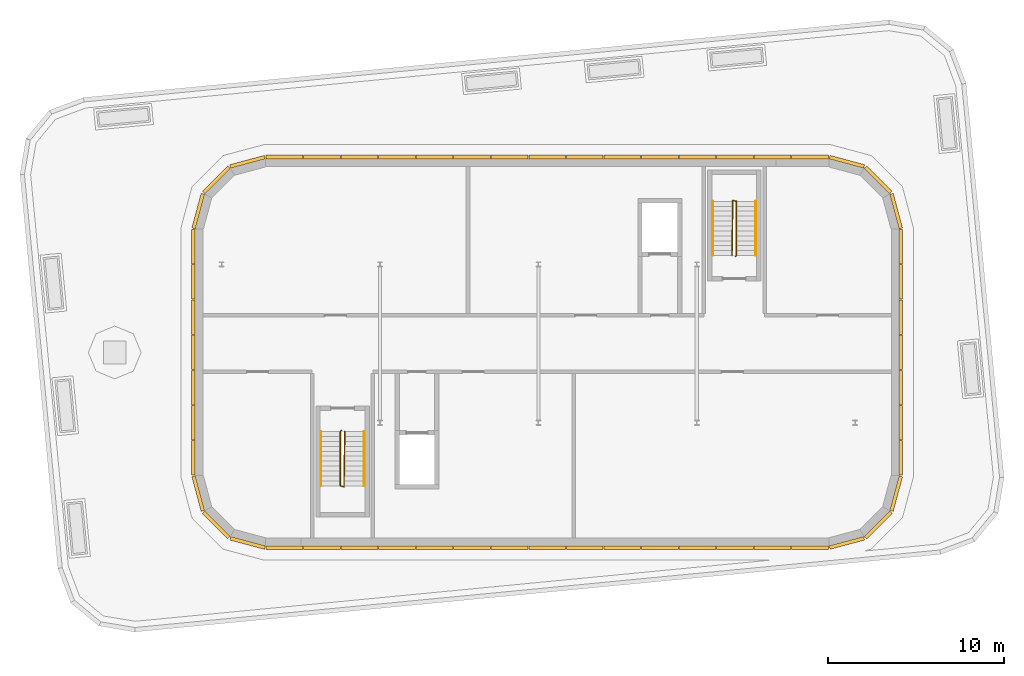
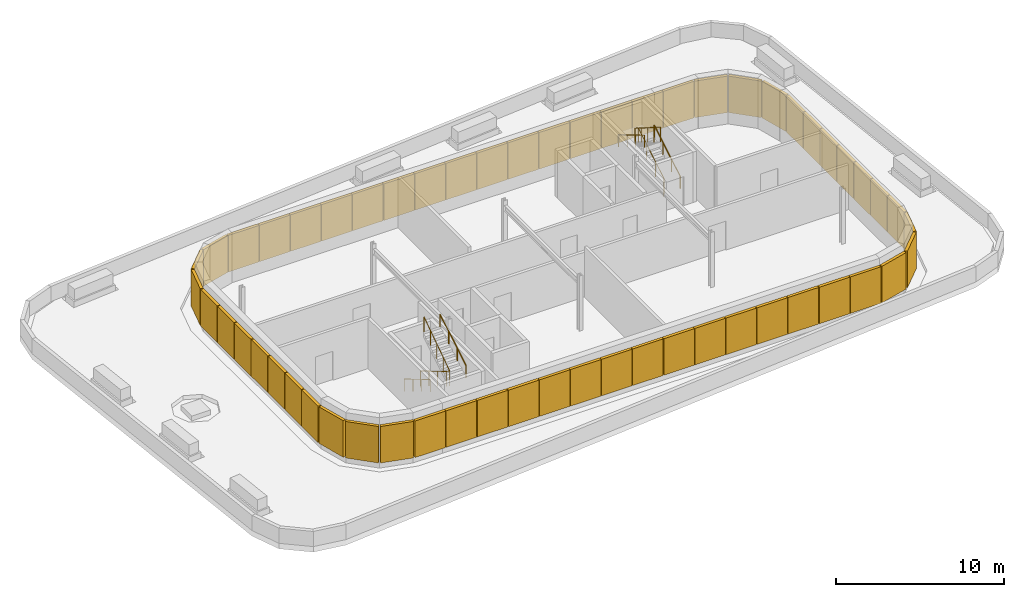
# One storey, part 5 of 6: 56 shading devices, 6 railings.
"""IFC4 building model written with IfcOpenShell, lengths in metres."""

from ifc_helpers import new_model, si_unit, direction, frame, origin, origin_2d, place, context, subcontext, project, spatial, rectangle, circle, extrude, material, type_object, element, save


model = new_model("IFC4")

# Units and contexts
model_context = context("Model", 3, precision=1e-05, world=origin(), true_north=direction((0.0, 1.0)))
body_context = subcontext(model_context, "Body", "Model", "MODEL_VIEW")
ifc_project = project(units=[si_unit("LENGTHUNIT", "METRE"), si_unit("AREAUNIT", "SQUARE_METRE"), si_unit("VOLUMEUNIT", "CUBIC_METRE"), si_unit("PLANEANGLEUNIT", "RADIAN"), si_unit("MASSUNIT", "GRAM", prefix="KILO")], contexts=[model_context])

# Site, building, storey
site_placement = place(None, origin())
site = spatial("IfcSite", under=ifc_project, at=site_placement, CompositionType="ELEMENT")
building_placement = place(site_placement, origin())
building = spatial("IfcBuilding", under=site, at=building_placement, Name="Kajstack Hotel Tower", CompositionType="ELEMENT")
storey_placement = place(building_placement, frame((0.0, 0.0, 325.800048828125)))
storey = spatial("IfcBuildingStorey", under=building, at=storey_placement, Name="L82", CompositionType="ELEMENT", Elevation=325.800048828125)

# Railings
ifc_material = material(Name="Steel S355J2", Category="steel")
railing_type_1 = type_object("IfcRailingType", Name="Stair guard 1100", PredefinedType="GUARDRAIL", material=ifc_material)
railing_1_placement = place(storey_placement, frame((-11.199951171875, -4.949951171875, 0.0)))
element("IfcRailing", 1, at=railing_1_placement, inside=storey, type_object=railing_type_1, Name="L82 R1 stair guard 1", PredefinedType="GUARDRAIL", context=body_context, shape_type="SweptSolid", body=[
    extrude(circle(Radius=0.02392578125, at=origin_2d()), frame((0.0, 0.0, 1.076171875), z_axis=(-0.27662974545, -0.27662974545, 0.920299933644), x_axis=(0.707106781187, -0.707106781187, 0.0)), (0.0, 0.0, 1.0), 0.180908203125),
    extrude(circle(Radius=0.02392578125, at=origin_2d()), frame((-0.050048828125, -0.050048828125, 1.24267578125), z_axis=(0.0, -0.85927862911, 0.511507807912), x_axis=(1.0, 0.0, 0.0)), (0.0, 0.0, 1.0), 3.58447265625),
    extrude(circle(Radius=0.02392578125, at=origin_2d()), frame((-0.050048828125, -3.130126953125, 3.076171875), z_axis=(0.970351222016, -0.241699205484, 0.0), x_axis=(0.241699205484, 0.970351222016, 0.0)), (0.0, 0.0, 1.0), 0.2060546875),
    extrude(circle(Radius=0.02392578125, at=origin_2d()), frame((0.14990234375, -3.179931640625, 3.076171875), z_axis=(0.013473340278, 0.842576694466, 0.538407822236), x_axis=(-0.999872174235, 0.01598859561, 0.0)), (0.0, 0.0, 1.0), 3.714599609375),
    extrude(circle(Radius=0.02099609375, at=origin_2d()), origin(), (0.0, 0.0, 1.0), 1.052001953125),
    extrude(circle(Radius=0.02099609375, at=origin_2d()), frame((-0.050048828125, -0.050048828125, 0.16650390625)), (0.0, 0.0, 1.0), 1.052001953125),
    extrude(circle(Radius=0.02099609375, at=origin_2d()), frame((-0.050048828125, -1.07666015625, 0.777587890625)), (0.0, 0.0, 1.0), 1.052001953125),
    extrude(circle(Radius=0.02099609375, at=origin_2d()), frame((-0.050048828125, -2.103515625, 1.388916015625)), (0.0, 0.0, 1.0), 1.052001953125),
    extrude(circle(Radius=0.02099609375, at=origin_2d()), frame((-0.050048828125, -3.130126953125, 2.0)), (0.0, 0.0, 1.0), 1.052001953125),
    extrude(circle(Radius=0.02099609375, at=origin_2d()), frame((0.14990234375, -3.179931640625, 2.0)), (0.0, 0.0, 1.0), 1.052001953125),
    extrude(circle(Radius=0.02099609375, at=origin_2d()), frame((0.162353515625, -2.3974609375, 2.5)), (0.0, 0.0, 1.0), 1.052001953125),
    extrude(circle(Radius=0.02099609375, at=origin_2d()), frame((0.1748046875, -1.614990234375, 3.0)), (0.0, 0.0, 1.0), 1.052001953125),
    extrude(circle(Radius=0.02099609375, at=origin_2d()), frame((0.1875, -0.83251953125, 3.5)), (0.0, 0.0, 1.0), 1.052001953125),
    extrude(circle(Radius=0.02099609375, at=origin_2d()), frame((0.199951171875, -0.050048828125, 4.0)), (0.0, 0.0, 1.0), 1.052001953125),
])
railing_2_placement = place(storey_placement, frame((11.199951171875, 4.949951171875, 0.0)))
element("IfcRailing", 2, at=railing_2_placement, inside=storey, type_object=railing_type_1, Name="L82 R2 stair guard 1", PredefinedType="GUARDRAIL", context=body_context, shape_type="SweptSolid", body=[
    extrude(circle(Radius=0.02392578125, at=origin_2d()), frame((0.0, 0.0, 1.076171875), z_axis=(0.27662974545, 0.27662974545, 0.920299933644), x_axis=(-0.707106781187, 0.707106781187, 0.0)), (0.0, 0.0, 1.0), 0.180908203125),
    extrude(circle(Radius=0.02392578125, at=origin_2d()), frame((0.050048828125, 0.050048828125, 1.24267578125), z_axis=(0.0, 0.85927862911, 0.511507807912), x_axis=(-1.0, 0.0, 0.0)), (0.0, 0.0, 1.0), 3.58447265625),
    extrude(circle(Radius=0.02392578125, at=origin_2d()), frame((0.050048828125, 3.130126953125, 3.076171875), z_axis=(-0.970351222016, 0.241699205484, 0.0), x_axis=(-0.241699205484, -0.970351222016, 0.0)), (0.0, 0.0, 1.0), 0.2060546875),
    extrude(circle(Radius=0.02392578125, at=origin_2d()), frame((-0.14990234375, 3.179931640625, 3.076171875), z_axis=(-0.013473340278, -0.842576694466, 0.538407822236), x_axis=(0.999872174235, -0.01598859561, 0.0)), (0.0, 0.0, 1.0), 3.714599609375),
    extrude(circle(Radius=0.02099609375, at=origin_2d()), origin(), (0.0, 0.0, 1.0), 1.052001953125),
    extrude(circle(Radius=0.02099609375, at=origin_2d()), frame((0.050048828125, 0.050048828125, 0.16650390625)), (0.0, 0.0, 1.0), 1.052001953125),
    extrude(circle(Radius=0.02099609375, at=origin_2d()), frame((0.050048828125, 1.07666015625, 0.777587890625)), (0.0, 0.0, 1.0), 1.052001953125),
    extrude(circle(Radius=0.02099609375, at=origin_2d()), frame((0.050048828125, 2.103515625, 1.388916015625)), (0.0, 0.0, 1.0), 1.052001953125),
    extrude(circle(Radius=0.02099609375, at=origin_2d()), frame((0.050048828125, 3.130126953125, 2.0)), (0.0, 0.0, 1.0), 1.052001953125),
    extrude(circle(Radius=0.02099609375, at=origin_2d()), frame((-0.14990234375, 3.179931640625, 2.0)), (0.0, 0.0, 1.0), 1.052001953125),
    extrude(circle(Radius=0.02099609375, at=origin_2d()), frame((-0.162353515625, 2.3974609375, 2.5)), (0.0, 0.0, 1.0), 1.052001953125),
    extrude(circle(Radius=0.02099609375, at=origin_2d()), frame((-0.1748046875, 1.614990234375, 3.0)), (0.0, 0.0, 1.0), 1.052001953125),
    extrude(circle(Radius=0.02099609375, at=origin_2d()), frame((-0.1875, 0.83251953125, 3.5)), (0.0, 0.0, 1.0), 1.052001953125),
    extrude(circle(Radius=0.02099609375, at=origin_2d()), frame((-0.199951171875, 0.050048828125, 4.0)), (0.0, 0.0, 1.0), 1.052001953125),
])
railing_type_2 = type_object("IfcRailingType", Name="Stair handrail 900", PredefinedType="HANDRAIL", material=ifc_material)
railing_3_placement = place(storey_placement, frame((-12.35009765625, -5.0, 0.16650390625)))
element("IfcRailing", 3, at=railing_3_placement, inside=storey, type_object=railing_type_2, Name="L82 R1 stair handrail 1", PredefinedType="HANDRAIL", context=body_context, shape_type="SweptSolid", body=[
    extrude(circle(Radius=0.02392578125, at=origin_2d()), frame((0.0, 0.0, 0.8759765625), z_axis=(0.0, -0.85927862911, 0.511507807912), x_axis=(1.0, 0.0, 0.0)), (0.0, 0.0, 1.0), 3.58447265625),
    extrude(circle(Radius=0.02099609375, at=origin_2d()), origin(), (0.0, 0.0, 1.0), 0.851806640625),
    extrude(circle(Radius=0.02099609375, at=origin_2d()), frame((0.0, -1.026611328125, 0.611083984375)), (0.0, 0.0, 1.0), 0.851806640625),
    extrude(circle(Radius=0.02099609375, at=origin_2d()), frame((0.0, -2.053466796875, 1.222412109375)), (0.0, 0.0, 1.0), 0.851806640625),
    extrude(circle(Radius=0.02099609375, at=origin_2d()), frame((0.0, -3.080078125, 1.83349609375)), (0.0, 0.0, 1.0), 0.851806640625),
])
for number, where, name in (
    (4, (-9.89990234375, -8.080078125, 2.16650390625), "L82 R1 stair handrail 2"),
    (5, (12.35009765625, 5.0, 0.16650390625), "L82 R2 stair handrail 1"),
):
    element("IfcRailing", number, at=place(storey_placement, frame(where)), inside=storey, type_object=railing_type_2, Name=name, PredefinedType="HANDRAIL", context=body_context, shape_type="SweptSolid", body=[
        extrude(circle(Radius=0.02392578125, at=origin_2d()), frame((0.0, 0.0, 0.8759765625), z_axis=(0.0, 0.85927862911, 0.511507807912), x_axis=(-1.0, 0.0, 0.0)), (0.0, 0.0, 1.0), 3.58447265625),
        extrude(circle(Radius=0.02099609375, at=origin_2d()), origin(), (0.0, 0.0, 1.0), 0.851806640625),
        extrude(circle(Radius=0.02099609375, at=origin_2d()), frame((0.0, 1.026611328125, 0.611083984375)), (0.0, 0.0, 1.0), 0.851806640625),
        extrude(circle(Radius=0.02099609375, at=origin_2d()), frame((0.0, 2.053466796875, 1.222412109375)), (0.0, 0.0, 1.0), 0.851806640625),
        extrude(circle(Radius=0.02099609375, at=origin_2d()), frame((0.0, 3.080078125, 1.83349609375)), (0.0, 0.0, 1.0), 0.851806640625),
    ])
railing_4_placement = place(storey_placement, frame((9.89990234375, 8.080078125, 2.16650390625)))
element("IfcRailing", 6, at=railing_4_placement, inside=storey, type_object=railing_type_2, Name="L82 R2 stair handrail 2", PredefinedType="HANDRAIL", context=body_context, shape_type="SweptSolid", body=[
    extrude(circle(Radius=0.02392578125, at=origin_2d()), frame((0.0, 0.0, 0.8759765625), z_axis=(0.0, -0.85927862911, 0.511507807912), x_axis=(1.0, 0.0, 0.0)), (0.0, 0.0, 1.0), 3.58447265625),
    extrude(circle(Radius=0.02099609375, at=origin_2d()), origin(), (0.0, 0.0, 1.0), 0.851806640625),
    extrude(circle(Radius=0.02099609375, at=origin_2d()), frame((0.0, -1.026611328125, 0.611083984375)), (0.0, 0.0, 1.0), 0.851806640625),
    extrude(circle(Radius=0.02099609375, at=origin_2d()), frame((0.0, -2.053466796875, 1.222412109375)), (0.0, 0.0, 1.0), 0.851806640625),
    extrude(circle(Radius=0.02099609375, at=origin_2d()), frame((0.0, -3.080078125, 1.83349609375)), (0.0, 0.0, 1.0), 0.851806640625),
])

# Shading devices
for number, where, z_axis, x_axis, name in (
    (7, (-19.32861328125, -8.52587890625, 0.5), (0.0, 0.0, 1.0), (0.258819770022, -0.965925632047, 0.0), "Louvre L82-00-01"),
    (8, (-18.302734375, -10.302734375, 0.5), (0.0, 0.0, 1.0), (0.707106781187, -0.707106781187, 0.0), "Louvre L82-01-01"),
    (9, (-16.52587890625, -11.32861328125, 0.5), (0.0, 0.0, 1.0), (0.965925632047, -0.258819770022, 0.0), "Louvre L82-02-01"),
):
    element("IfcShadingDevice", number, at=place(storey_placement, frame(where, z_axis=z_axis, x_axis=x_axis)), inside=storey, Name=name, ObjectType="LOUVRE", PredefinedType="USERDEFINED", context=body_context, shape_type="SweptSolid", body=[
        extrude(rectangle(XDim=2.030517578125, YDim=0.199951171875, at=origin_2d()), origin(), (0.0, 0.0, 1.0), 2.64990234375),
    ])
for number, where, z_axis, x_axis, name in (
    (10, (-14.433349609375, -11.60009765625, 0.5), (0.0, 0.0, 1.0), (1.0, 0.0, 0.0), "Louvre L82-03-01"),
    (11, (-12.300048828125, -11.60009765625, 0.5), (0.0, 0.0, 1.0), (1.0, 0.0, 0.0), "Louvre L82-03-02"),
    (12, (-10.166748046875, -11.60009765625, 0.5), (0.0, 0.0, 1.0), (1.0, 0.0, 0.0), "Louvre L82-03-03"),
    (13, (-8.033447265625, -11.60009765625, 0.5), (0.0, 0.0, 1.0), (1.0, 0.0, 0.0), "Louvre L82-03-04"),
    (14, (-5.89990234375, -11.60009765625, 0.5), (0.0, 0.0, 1.0), (1.0, 0.0, 0.0), "Louvre L82-03-05"),
    (15, (-3.7666015625, -11.60009765625, 0.5), (0.0, 0.0, 1.0), (1.0, 0.0, 0.0), "Louvre L82-03-06"),
    (16, (-1.63330078125, -11.60009765625, 0.5), (0.0, 0.0, 1.0), (1.0, 0.0, 0.0), "Louvre L82-03-07"),
    (17, (0.5, -11.60009765625, 0.5), (0.0, 0.0, 1.0), (1.0, 0.0, 0.0), "Louvre L82-03-08"),
    (18, (2.63330078125, -11.60009765625, 0.5), (0.0, 0.0, 1.0), (1.0, 0.0, 0.0), "Louvre L82-03-09"),
    (19, (4.7666015625, -11.60009765625, 0.5), (0.0, 0.0, 1.0), (1.0, 0.0, 0.0), "Louvre L82-03-10"),
    (20, (6.89990234375, -11.60009765625, 0.5), (0.0, 0.0, 1.0), (1.0, 0.0, 0.0), "Louvre L82-03-11"),
    (21, (9.033447265625, -11.60009765625, 0.5), (0.0, 0.0, 1.0), (1.0, 0.0, 0.0), "Louvre L82-03-12"),
    (22, (11.166748046875, -11.60009765625, 0.5), (0.0, 0.0, 1.0), (1.0, 0.0, 0.0), "Louvre L82-03-13"),
    (23, (13.300048828125, -11.60009765625, 0.5), (0.0, 0.0, 1.0), (1.0, 0.0, 0.0), "Louvre L82-03-14"),
    (24, (15.433349609375, -11.60009765625, 0.5), (0.0, 0.0, 1.0), (1.0, 0.0, 0.0), "Louvre L82-03-15"),
):
    element("IfcShadingDevice", number, at=place(storey_placement, frame(where, z_axis=z_axis, x_axis=x_axis)), inside=storey, Name=name, ObjectType="LOUVRE", PredefinedType="USERDEFINED", context=body_context, shape_type="SweptSolid", body=[
        extrude(rectangle(XDim=2.09326171875, YDim=0.199951171875, at=origin_2d()), origin(), (0.0, 0.0, 1.0), 2.64990234375),
    ])
for number, where, z_axis, x_axis, name in (
    (25, (17.52587890625, -11.32861328125, 0.5), (0.0, 0.0, 1.0), (0.965925632047, 0.258819770022, 0.0), "Louvre L82-04-01"),
    (26, (19.302734375, -10.302734375, 0.5), (0.0, 0.0, 1.0), (0.707106781187, 0.707106781187, 0.0), "Louvre L82-05-01"),
    (27, (20.32861328125, -8.52587890625, 0.5), (0.0, 0.0, 1.0), (0.258819770022, 0.965925632047, 0.0), "Louvre L82-06-01"),
):
    element("IfcShadingDevice", number, at=place(storey_placement, frame(where, z_axis=z_axis, x_axis=x_axis)), inside=storey, Name=name, ObjectType="LOUVRE", PredefinedType="USERDEFINED", context=body_context, shape_type="SweptSolid", body=[
        extrude(rectangle(XDim=2.030517578125, YDim=0.199951171875, at=origin_2d()), origin(), (0.0, 0.0, 1.0), 2.64990234375),
    ])
for number, where, z_axis, x_axis, name in (
    (28, (20.60009765625, -6.5, 0.5), (0.0, 0.0, 1.0), (0.0, 1.0, 0.0), "Louvre L82-07-01"),
    (29, (20.60009765625, -4.5, 0.5), (0.0, 0.0, 1.0), (0.0, 1.0, 0.0), "Louvre L82-07-02"),
    (30, (20.60009765625, -2.5, 0.5), (0.0, 0.0, 1.0), (0.0, 1.0, 0.0), "Louvre L82-07-03"),
    (31, (20.60009765625, -0.5, 0.5), (0.0, 0.0, 1.0), (0.0, 1.0, 0.0), "Louvre L82-07-04"),
    (32, (20.60009765625, 1.5, 0.5), (0.0, 0.0, 1.0), (0.0, 1.0, 0.0), "Louvre L82-07-05"),
    (33, (20.60009765625, 3.5, 0.5), (0.0, 0.0, 1.0), (0.0, 1.0, 0.0), "Louvre L82-07-06"),
    (34, (20.60009765625, 5.5, 0.5), (0.0, 0.0, 1.0), (0.0, 1.0, 0.0), "Louvre L82-07-07"),
):
    element("IfcShadingDevice", number, at=place(storey_placement, frame(where, z_axis=z_axis, x_axis=x_axis)), inside=storey, Name=name, ObjectType="LOUVRE", PredefinedType="USERDEFINED", context=body_context, shape_type="SweptSolid", body=[
        extrude(rectangle(XDim=1.9599609375, YDim=0.199951171875, at=origin_2d()), origin(), (0.0, 0.0, 1.0), 2.64990234375),
    ])
for number, where, z_axis, x_axis, name in (
    (35, (20.32861328125, 7.52587890625, 0.5), (0.0, 0.0, 1.0), (-0.258819770022, 0.965925632047, 0.0), "Louvre L82-08-01"),
    (36, (19.302734375, 9.302734375, 0.5), (0.0, 0.0, 1.0), (-0.707106781187, 0.707106781187, 0.0), "Louvre L82-09-01"),
    (37, (17.52587890625, 10.32861328125, 0.5), (0.0, 0.0, 1.0), (-0.965925632047, 0.258819770022, 0.0), "Louvre L82-10-01"),
):
    element("IfcShadingDevice", number, at=place(storey_placement, frame(where, z_axis=z_axis, x_axis=x_axis)), inside=storey, Name=name, ObjectType="LOUVRE", PredefinedType="USERDEFINED", context=body_context, shape_type="SweptSolid", body=[
        extrude(rectangle(XDim=2.030517578125, YDim=0.199951171875, at=origin_2d()), origin(), (0.0, 0.0, 1.0), 2.64990234375),
    ])
for number, where, z_axis, x_axis, name in (
    (38, (15.433349609375, 10.60009765625, 0.5), (0.0, 0.0, 1.0), (-1.0, 0.0, 0.0), "Louvre L82-11-01"),
    (39, (13.300048828125, 10.60009765625, 0.5), (0.0, 0.0, 1.0), (-1.0, 0.0, 0.0), "Louvre L82-11-02"),
    (40, (11.166748046875, 10.60009765625, 0.5), (0.0, 0.0, 1.0), (-1.0, 0.0, 0.0), "Louvre L82-11-03"),
    (41, (9.033447265625, 10.60009765625, 0.5), (0.0, 0.0, 1.0), (-1.0, 0.0, 0.0), "Louvre L82-11-04"),
    (42, (6.89990234375, 10.60009765625, 0.5), (0.0, 0.0, 1.0), (-1.0, 0.0, 0.0), "Louvre L82-11-05"),
    (43, (4.7666015625, 10.60009765625, 0.5), (0.0, 0.0, 1.0), (-1.0, 0.0, 0.0), "Louvre L82-11-06"),
    (44, (2.63330078125, 10.60009765625, 0.5), (0.0, 0.0, 1.0), (-1.0, 0.0, 0.0), "Louvre L82-11-07"),
    (45, (0.5, 10.60009765625, 0.5), (0.0, 0.0, 1.0), (-1.0, 0.0, 0.0), "Louvre L82-11-08"),
    (46, (-1.63330078125, 10.60009765625, 0.5), (0.0, 0.0, 1.0), (-1.0, 0.0, 0.0), "Louvre L82-11-09"),
    (47, (-3.7666015625, 10.60009765625, 0.5), (0.0, 0.0, 1.0), (-1.0, 0.0, 0.0), "Louvre L82-11-10"),
    (48, (-5.89990234375, 10.60009765625, 0.5), (0.0, 0.0, 1.0), (-1.0, 0.0, 0.0), "Louvre L82-11-11"),
    (49, (-8.033447265625, 10.60009765625, 0.5), (0.0, 0.0, 1.0), (-1.0, 0.0, 0.0), "Louvre L82-11-12"),
    (50, (-10.166748046875, 10.60009765625, 0.5), (0.0, 0.0, 1.0), (-1.0, 0.0, 0.0), "Louvre L82-11-13"),
    (51, (-12.300048828125, 10.60009765625, 0.5), (0.0, 0.0, 1.0), (-1.0, 0.0, 0.0), "Louvre L82-11-14"),
    (52, (-14.433349609375, 10.60009765625, 0.5), (0.0, 0.0, 1.0), (-1.0, 0.0, 0.0), "Louvre L82-11-15"),
):
    element("IfcShadingDevice", number, at=place(storey_placement, frame(where, z_axis=z_axis, x_axis=x_axis)), inside=storey, Name=name, ObjectType="LOUVRE", PredefinedType="USERDEFINED", context=body_context, shape_type="SweptSolid", body=[
        extrude(rectangle(XDim=2.09326171875, YDim=0.199951171875, at=origin_2d()), origin(), (0.0, 0.0, 1.0), 2.64990234375),
    ])
for number, where, z_axis, x_axis, name in (
    (53, (-16.52587890625, 10.32861328125, 0.5), (0.0, 0.0, 1.0), (-0.965925632047, -0.258819770022, 0.0), "Louvre L82-12-01"),
    (54, (-18.302734375, 9.302734375, 0.5), (0.0, 0.0, 1.0), (-0.707106781187, -0.707106781187, 0.0), "Louvre L82-13-01"),
    (55, (-19.32861328125, 7.52587890625, 0.5), (0.0, 0.0, 1.0), (-0.258819770022, -0.965925632047, 0.0), "Louvre L82-14-01"),
):
    element("IfcShadingDevice", number, at=place(storey_placement, frame(where, z_axis=z_axis, x_axis=x_axis)), inside=storey, Name=name, ObjectType="LOUVRE", PredefinedType="USERDEFINED", context=body_context, shape_type="SweptSolid", body=[
        extrude(rectangle(XDim=2.030517578125, YDim=0.199951171875, at=origin_2d()), origin(), (0.0, 0.0, 1.0), 2.64990234375),
    ])
for number, where, z_axis, x_axis, name in (
    (56, (-19.60009765625, 5.5, 0.5), (0.0, 0.0, 1.0), (0.0, -1.0, 0.0), "Louvre L82-15-01"),
    (57, (-19.60009765625, 3.5, 0.5), (0.0, 0.0, 1.0), (0.0, -1.0, 0.0), "Louvre L82-15-02"),
    (58, (-19.60009765625, 1.5, 0.5), (0.0, 0.0, 1.0), (0.0, -1.0, 0.0), "Louvre L82-15-03"),
    (59, (-19.60009765625, -0.5, 0.5), (0.0, 0.0, 1.0), (0.0, -1.0, 0.0), "Louvre L82-15-04"),
    (60, (-19.60009765625, -2.5, 0.5), (0.0, 0.0, 1.0), (0.0, -1.0, 0.0), "Louvre L82-15-05"),
    (61, (-19.60009765625, -4.5, 0.5), (0.0, 0.0, 1.0), (0.0, -1.0, 0.0), "Louvre L82-15-06"),
    (62, (-19.60009765625, -6.5, 0.5), (0.0, 0.0, 1.0), (0.0, -1.0, 0.0), "Louvre L82-15-07"),
):
    element("IfcShadingDevice", number, at=place(storey_placement, frame(where, z_axis=z_axis, x_axis=x_axis)), inside=storey, Name=name, ObjectType="LOUVRE", PredefinedType="USERDEFINED", context=body_context, shape_type="SweptSolid", body=[
        extrude(rectangle(XDim=1.9599609375, YDim=0.199951171875, at=origin_2d()), origin(), (0.0, 0.0, 1.0), 2.64990234375),
    ])

save(model, "model.ifc")
